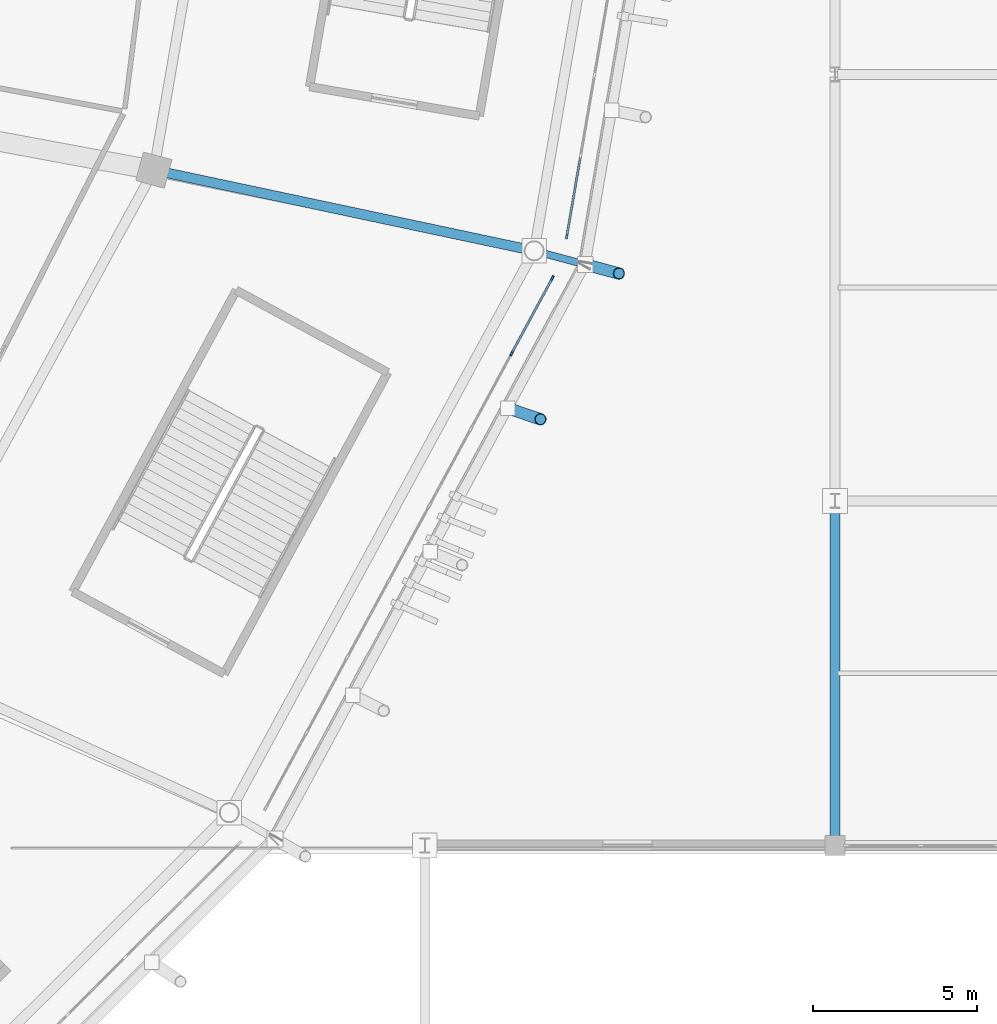
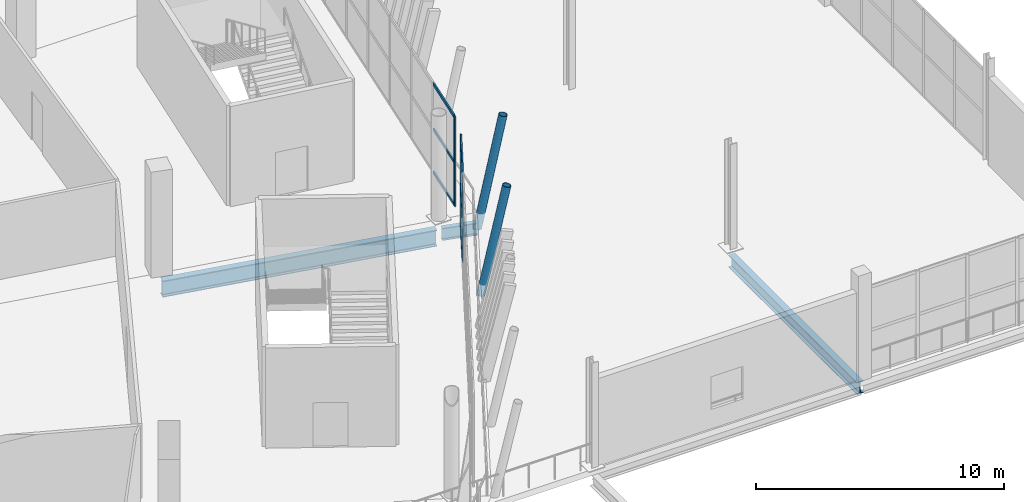
# One storey, part 60 of 178: 11 members, 3 beams, 2 elements without a shape of their own.
"""IFC4 building model written with IfcOpenShell, lengths in metres."""

from ifc_helpers import new_model, si_unit, direction, frame, origin, origin_2d, place, context, subcontext, project, spatial, rectangle, hollow_circle, i_section, extrude, material, material_profile, profile_set, type_object, element, aggregate, save


model = new_model("IFC4")

# Units and contexts
model_context = context("Model", 3, precision=1e-05, world=origin(), true_north=direction((0.0, 1.0)))
body_context = subcontext(model_context, "Body", "Model", "MODEL_VIEW")
ifc_project = project(units=[si_unit("LENGTHUNIT", "METRE"), si_unit("AREAUNIT", "SQUARE_METRE"), si_unit("VOLUMEUNIT", "CUBIC_METRE"), si_unit("PLANEANGLEUNIT", "RADIAN"), si_unit("MASSUNIT", "GRAM", prefix="KILO")], contexts=[model_context])

# Site, building, storey
site_placement = place(None, origin())
site = spatial("IfcSite", under=ifc_project, at=site_placement, CompositionType="ELEMENT")
building_placement = place(site_placement, origin())
building = spatial("IfcBuilding", under=site, at=building_placement, Name="Zlatoyarsky Gate Stadium", CompositionType="ELEMENT")
storey_placement = place(building_placement, frame((0.0, 0.0, 5.39990234375)))
storey = spatial("IfcBuildingStorey", under=building, at=storey_placement, Name="L01", CompositionType="ELEMENT", Elevation=5.39990234375)

# Curtain wall, members
ifc_material_1 = material(Name="Thermally broken anodised aluminium curtain wall", Category="aluminium")
curtain_wall_type = type_object("IfcCurtainWallType", Name="UNITISED HOSPITALITY GLAZING L01", PredefinedType="USERDEFINED", material=ifc_material_1)
curtain_wall_1_placement = place(storey_placement, origin())
curtain_wall_1 = element("IfcCurtainWall", 1, at=curtain_wall_1_placement, inside=storey, type_object=curtain_wall_type, Name="Curtain wall CW-L01-22", ObjectType="UNITISED GLAZING", PredefinedType="USERDEFINED")
ifc_material_2 = material(Name="Anodised aluminium 6063-T6", Category="aluminium")
ifc_material_profile_1 = material_profile(ifc_material_2, rectangle(XDim=0.06494140625, YDim=0.159912109375, at=origin_2d()), Name="ALU 65X160")
ifc_profile_set_1 = profile_set([ifc_material_profile_1], Name="Anodised aluminium 6063-T6")
member_type_1 = type_object("IfcMemberType", Name="ALUMINIUM MULLION 65X160", PredefinedType="MULLION", material=ifc_profile_set_1)
member_1_placement = place(storey_placement, frame((200.1474609375, 58.502685546875, 0.0), z_axis=(0.0, 0.0, 1.0), x_axis=(-0.879562033396, 0.475784225682, 0.0)))
member_1 = element("IfcMember", 2, at=member_1_placement, type_object=member_type_1, Name="CW-UG1 mullion 7", PredefinedType="MULLION", context=body_context, shape_type="SweptSolid", body=[
    extrude(rectangle(XDim=0.06494140625, YDim=0.159912109375, at=origin_2d()), origin(), (0.0, 0.0, 1.0), 4.400146484375),
])
member_2_placement = place(storey_placement, frame((201.3837890625, 60.788330078125, 0.0), z_axis=(0.0, 0.0, 1.0), x_axis=(-0.879562033396, 0.475784225682, 0.0)))
member_2 = element("IfcMember", 3, at=member_2_placement, type_object=member_type_1, Name="CW-UG1 mullion 8", PredefinedType="MULLION", context=body_context, shape_type="SweptSolid", body=[
    extrude(rectangle(XDim=0.06494140625, YDim=0.159912109375, at=origin_2d()), origin(), (0.0, 0.0, 1.0), 4.400146484375),
])

# Curtain wall, member
curtain_wall_2_placement = place(storey_placement, origin())
curtain_wall_2 = element("IfcCurtainWall", 4, at=curtain_wall_2_placement, inside=storey, type_object=curtain_wall_type, Name="Curtain wall CW-L01-23", ObjectType="UNITISED GLAZING", PredefinedType="USERDEFINED")
member_3_placement = place(storey_placement, frame((201.82421875, 62.061279296875, 0.0), z_axis=(0.0, 0.0, 1.0), x_axis=(-0.985538549547, 0.169451371657, 0.0)))
member_3 = element("IfcMember", 5, at=member_3_placement, type_object=member_type_1, Name="CW-UG1 mullion 1", PredefinedType="MULLION", context=body_context, shape_type="SweptSolid", body=[
    extrude(rectangle(XDim=0.06494140625, YDim=0.159912109375, at=origin_2d()), origin(), (0.0, 0.0, 1.0), 4.400146484375),
])

# Member
ifc_material_profile_2 = material_profile(ifc_material_2, rectangle(XDim=0.06494140625, YDim=0.139892578125, at=origin_2d()), Name="ALU 65X140")
ifc_profile_set_2 = profile_set([ifc_material_profile_2], Name="Anodised aluminium 6063-T6")
member_type_2 = type_object("IfcMemberType", Name="ALUMINIUM TRANSOM 65X140", PredefinedType="USERDEFINED", material=ifc_profile_set_2)
member_4_placement = place(storey_placement, frame((200.162841796875, 58.53125, 0.03271484375), z_axis=(0.475811253632, 0.879547412546, 0.0), x_axis=(-0.879547412546, 0.475811253632, 0.0)))
member_4 = element("IfcMember", 6, at=member_4_placement, type_object=member_type_2, Name="CW-UG1 transom 7.1", ObjectType="TRANSOM", PredefinedType="USERDEFINED", context=body_context, shape_type="SweptSolid", body=[
    extrude(rectangle(XDim=0.06494140625, YDim=0.139892578125, at=origin_2d()), origin(), (0.0, 0.0, 1.0), 2.53369140625),
])

member_5_placement = place(storey_placement, frame((200.162841796875, 58.53125, 2.150146484375), z_axis=(0.475811253632, 0.879547412546, 0.0), x_axis=(-0.879547412546, 0.475811253632, 0.0)))
member_5 = element("IfcMember", 7, at=member_5_placement, type_object=member_type_2, Name="CW-UG1 transom 7.2", ObjectType="TRANSOM", PredefinedType="USERDEFINED", context=body_context, shape_type="SweptSolid", body=[
    extrude(rectangle(XDim=0.06494140625, YDim=0.139892578125, at=origin_2d()), origin(), (0.0, 0.0, 1.0), 2.53369140625),
])

member_6_placement = place(storey_placement, frame((200.162841796875, 58.53125, 4.36767578125), z_axis=(0.475811253632, 0.879547412546, 0.0), x_axis=(-0.879547412546, 0.475811253632, 0.0)))
member_6 = element("IfcMember", 8, at=member_6_placement, type_object=member_type_2, Name="CW-UG1 transom 7.3", ObjectType="TRANSOM", PredefinedType="USERDEFINED", context=body_context, shape_type="SweptSolid", body=[
    extrude(rectangle(XDim=0.06494140625, YDim=0.139892578125, at=origin_2d()), origin(), (0.0, 0.0, 1.0), 2.53369140625),
])

aggregate(curtain_wall_1, [member_1, member_2, member_4, member_5, member_6])

member_7_placement = place(storey_placement, frame((201.829833984375, 62.09326171875, 0.03271484375), z_axis=(0.169365127919, 0.985553374224, 0.0), x_axis=(-0.985553374224, 0.169365127919, 0.0)))
member_7 = element("IfcMember", 9, at=member_7_placement, type_object=member_type_2, Name="CW-UG1 transom 1.1", ObjectType="TRANSOM", PredefinedType="USERDEFINED", context=body_context, shape_type="SweptSolid", body=[
    extrude(rectangle(XDim=0.06494140625, YDim=0.139892578125, at=origin_2d()), origin(), (0.0, 0.0, 1.0), 2.41455078125),
])

member_8_placement = place(storey_placement, frame((201.829833984375, 62.09326171875, 2.150146484375), z_axis=(0.169365127919, 0.985553374224, 0.0), x_axis=(-0.985553374224, 0.169365127919, 0.0)))
member_8 = element("IfcMember", 10, at=member_8_placement, type_object=member_type_2, Name="CW-UG1 transom 1.2", ObjectType="TRANSOM", PredefinedType="USERDEFINED", context=body_context, shape_type="SweptSolid", body=[
    extrude(rectangle(XDim=0.06494140625, YDim=0.139892578125, at=origin_2d()), origin(), (0.0, 0.0, 1.0), 2.41455078125),
])

member_9_placement = place(storey_placement, frame((201.829833984375, 62.09326171875, 4.36767578125), z_axis=(0.169365127919, 0.985553374224, 0.0), x_axis=(-0.985553374224, 0.169365127919, 0.0)))
member_9 = element("IfcMember", 11, at=member_9_placement, type_object=member_type_2, Name="CW-UG1 transom 1.3", ObjectType="TRANSOM", PredefinedType="USERDEFINED", context=body_context, shape_type="SweptSolid", body=[
    extrude(rectangle(XDim=0.06494140625, YDim=0.139892578125, at=origin_2d()), origin(), (0.0, 0.0, 1.0), 2.41455078125),
])

aggregate(curtain_wall_2, [member_3, member_7, member_8, member_9])

# Beam
ifc_material_3 = material(Name="Steel S355", Category="steel")
ifc_material_profile_3 = material_profile(ifc_material_3, i_section(OverallWidth=0.219970703125, OverallDepth=0.60009765625, WebThickness=0.011962890625, FlangeThickness=0.01904296875, FilletRadius=0.02392578125, at=origin_2d()), Name="IPE 600")
ifc_profile_set_3 = profile_set([ifc_material_profile_3], Name="Steel S355")
beam_type_1 = type_object("IfcBeamType", Name="STEEL CANTILEVER FLOOR BEAM IPE 600", PredefinedType="BEAM", material=ifc_profile_set_3)
beam_1_placement = place(storey_placement, frame((200.947021484375, 61.5927734375, -0.760009765625), z_axis=(0.965923890569, -0.2588262692, 0.0), x_axis=(0.2588262692, 0.965923890569, 0.0)))
element("IfcBeam", 12, at=beam_1_placement, inside=storey, type_object=beam_type_1, Name="Beam B-IPE600 BM-L01-OUT-23", PredefinedType="BEAM", context=body_context, shape_type="SweptSolid", body=[
    extrude(i_section(OverallWidth=0.219970703125, OverallDepth=0.60009765625, WebThickness=0.011962890625, FlangeThickness=0.01904296875, FilletRadius=0.02392578125, at=origin_2d()), origin(), (0.0, 0.0, 1.0), 1.488525390625),
])

# Members
ifc_material_profile_4 = material_profile(ifc_material_3, hollow_circle(Radius=0.177734375, WallThickness=0.02001953125, at=origin_2d()), Name="CHS 355.6X20")
ifc_profile_set_4 = profile_set([ifc_material_profile_4], Name="Steel S355")
member_type_3 = type_object("IfcMemberType", Name="STEEL LEANING RIB RING STRUT CHS 355.6X20", PredefinedType="STRUT", material=ifc_profile_set_4)
member_10_placement = place(storey_placement, frame((202.384765625, 61.20751953125, -0.760009765625), z_axis=(0.187969007318, -0.050341687728, 0.980883972121), x_axis=(0.258701784688, 0.965957238494, 0.0)))
element("IfcMember", 13, at=member_10_placement, inside=storey, type_object=member_type_3, Name="Leaning ring strut 23 L01 to L02", PredefinedType="STRUT", context=body_context, shape_type="SweptSolid", body=[
    extrude(hollow_circle(Radius=0.177734375, WallThickness=0.02001953125, at=origin_2d()), origin(), (0.0, 0.0, 1.0), 5.48486328125),
])
member_11_placement = place(storey_placement, frame((200.02197265625, 56.82958984375, -0.5498046875), z_axis=(0.18856127959, -0.063938499035, 0.979977812086), x_axis=(0.321126768229, 0.947036218276, 0.0)))
element("IfcMember", 14, at=member_11_placement, inside=storey, type_object=member_type_3, Name="Outward-leaning bowl louvre fin rib L01 22-3", PredefinedType="STRUT", context=body_context, shape_type="SweptSolid", body=[
    extrude(hollow_circle(Radius=0.177734375, WallThickness=0.02001953125, at=origin_2d()), origin(), (0.0, 0.0, 1.0), 5.32666015625),
])

# Beams
ifc_material_profile_5 = material_profile(ifc_material_3, i_section(OverallWidth=0.300048828125, OverallDepth=0.60009765625, WebThickness=0.015380859375, FlangeThickness=0.030029296875, FilletRadius=0.027099609375, at=origin_2d()), Name="HEB 600")
ifc_profile_set_5 = profile_set([ifc_material_profile_5], Name="Steel S355")
beam_type_2 = type_object("IfcBeamType", Name="STEEL PRIMARY GIRDER HEB 600", PredefinedType="BEAM", material=ifc_profile_set_5)
beam_2_placement = place(storey_placement, frame((210.0, 43.580078125, -0.599853515625), z_axis=(0.0, 1.0, 0.0), x_axis=(-1.0, 0.0, 0.0)))
element("IfcBeam", 15, at=beam_2_placement, inside=storey, type_object=beam_type_2, Name="Beam G-HEB600 BM-L01-WGY-18-E", PredefinedType="BEAM", context=body_context, shape_type="SweptSolid", body=[
    extrude(i_section(OverallWidth=0.300048828125, OverallDepth=0.60009765625, WebThickness=0.015380859375, FlangeThickness=0.030029296875, FilletRadius=0.027099609375, at=origin_2d()), origin(), (0.0, 0.0, 1.0), 10.33984375),
])
ifc_material_profile_6 = material_profile(ifc_material_3, i_section(OverallWidth=0.300048828125, OverallDepth=0.800048828125, WebThickness=0.017578125, FlangeThickness=0.032958984375, FilletRadius=0.030029296875, at=origin_2d()), Name="HEB 800")
ifc_profile_set_6 = profile_set([ifc_material_profile_6], Name="Steel S355")
beam_type_3 = type_object("IfcBeamType", Name="STEEL PRIMARY GIRDER HEB 800", PredefinedType="BEAM", material=ifc_profile_set_6)
beam_3_placement = place(storey_placement, frame((189.357421875, 64.0576171875, -0.85986328125), z_axis=(0.978233348926, -0.207507867438, 0.0), x_axis=(0.207507867438, 0.978233348926, 0.0)))
element("IfcBeam", 16, at=beam_3_placement, inside=storey, type_object=beam_type_3, Name="Beam G-HEB800 BM-L01-RBC-23", PredefinedType="BEAM", context=body_context, shape_type="SweptSolid", body=[
    extrude(i_section(OverallWidth=0.300048828125, OverallDepth=0.800048828125, WebThickness=0.017578125, FlangeThickness=0.032958984375, FilletRadius=0.030029296875, at=origin_2d()), origin(), (0.0, 0.0, 1.0), 11.60888671875),
])

save(model, "model.ifc")
